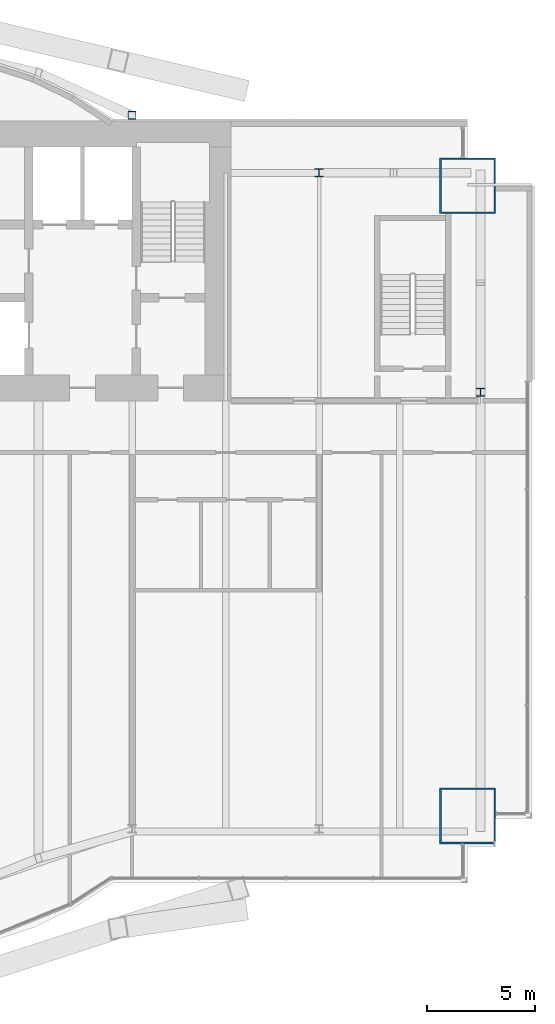
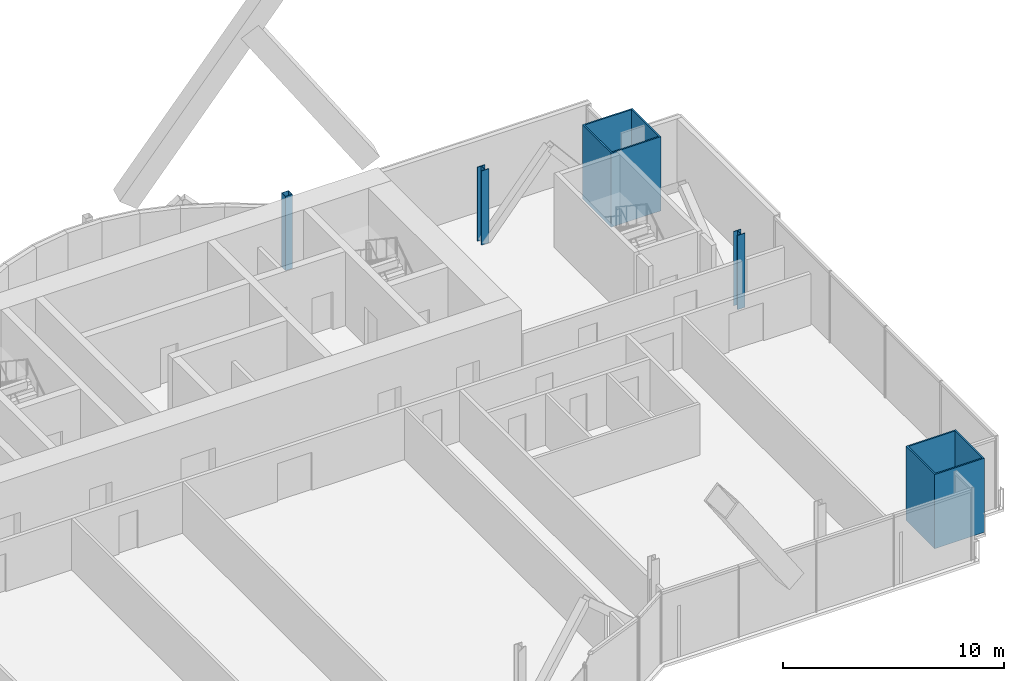
# One storey, part 4 of 23: 5 columns.
"""IFC4 building model written with IfcOpenShell, lengths in metres."""

from ifc_helpers import new_model, si_unit, direction, frame, origin, origin_2d, place, context, subcontext, project, spatial, hollow_rectangle, i_section, extrude, material, material_profile, profile_set, type_object, element, save


model = new_model("IFC4")

# Units and contexts
model_context = context("Model", 3, precision=1e-05, world=origin(), true_north=direction((0.0, 1.0)))
body_context = subcontext(model_context, "Body", "Model", "MODEL_VIEW")
ifc_project = project(units=[si_unit("LENGTHUNIT", "METRE"), si_unit("AREAUNIT", "SQUARE_METRE"), si_unit("VOLUMEUNIT", "CUBIC_METRE"), si_unit("PLANEANGLEUNIT", "RADIAN"), si_unit("MASSUNIT", "GRAM", prefix="KILO")], contexts=[model_context])

# Site, building, storey
site_placement = place(None, origin())
site = spatial("IfcSite", under=ifc_project, at=site_placement, CompositionType="ELEMENT")
building_placement = place(site_placement, origin())
building = spatial("IfcBuilding", under=site, at=building_placement, Name="Bicima Exchange Tower", CompositionType="ELEMENT")
storey_placement = place(building_placement, frame((0.0, 0.0, 152.699951171875)))
storey = spatial("IfcBuildingStorey", under=building, at=storey_placement, Name="L33", CompositionType="ELEMENT", Elevation=152.699951171875)

# Columns
ifc_material_1 = material(Name="Steel ASTM A572 Gr 50", Category="steel")
ifc_material_profile_1 = material_profile(ifc_material_1, hollow_rectangle(XDim=2.60009765625, YDim=2.60009765625, WallThickness=0.080078125, at=origin_2d()))
ifc_profile_set_1 = profile_set([ifc_material_profile_1], Name="Steel ASTM A572 Gr 50")
column_type_1 = type_object("IfcColumnType", Name="Mega column BOX 2600x2600x80", PredefinedType="COLUMN", material=ifc_profile_set_1)
for number, where, z_axis, x_axis, name in (
    (1, (33.0, -32.2900390625, 0.0), (0.0, 0.0, 1.0), (1.0, 0.0, 0.0), "Mega column mega+33.0f"),
    (2, (33.0, -3.0, 0.0), (0.0, 0.0, 1.0), (1.0, 0.0, 0.0), "Mega column mega+33.0r"),
):
    element("IfcColumn", number, at=place(storey_placement, frame(where, z_axis=z_axis, x_axis=x_axis)), inside=storey, type_object=column_type_1, Name=name, PredefinedType="COLUMN", context=body_context, shape_type="SweptSolid", body=[
        extrude(hollow_rectangle(XDim=2.60009765625, YDim=2.60009765625, WallThickness=0.080078125, at=origin_2d()), origin(), (0.0, 0.0, 1.0), 4.10009765625),
    ])
ifc_material_2 = material(Name="Steel ASTM A992 Gr 50", Category="steel")
ifc_material_profile_2 = material_profile(ifc_material_2, i_section(OverallWidth=0.396240234375, OverallDepth=0.381103515625, WebThickness=0.01904296875, FlangeThickness=0.0302734375, at=origin_2d()))
ifc_profile_set_2 = profile_set([ifc_material_profile_2], Name="Steel ASTM A992 Gr 50")
column_type_2 = type_object("IfcColumnType", Name="Perimeter column W14x159", PredefinedType="COLUMN", material=ifc_profile_set_2)
for number, where, z_axis, x_axis, name in (
    (3, (26.10009765625, -2.39990234375, 0.0), (0.0, 0.0, 1.0), (1.0, 0.0, 0.0), "Perimeter column grav+26.1r"),
    (4, (33.60009765625, -12.60009765625, 0.0), (0.0, 0.0, 1.0), (1.0, 0.0, 0.0), "End column end+33.6e"),
):
    element("IfcColumn", number, at=place(storey_placement, frame(where, z_axis=z_axis, x_axis=x_axis)), inside=storey, type_object=column_type_2, Name=name, PredefinedType="COLUMN", context=body_context, shape_type="SweptSolid", body=[
        extrude(i_section(OverallWidth=0.396240234375, OverallDepth=0.381103515625, WebThickness=0.01904296875, FlangeThickness=0.0302734375, at=origin_2d()), origin(), (0.0, 0.0, 1.0), 4.10009765625),
    ])
ifc_material_profile_3 = material_profile(ifc_material_1, hollow_rectangle(XDim=0.355712890625, YDim=0.355712890625, WallThickness=0.01171875, at=origin_2d()))
ifc_profile_set_3 = profile_set([ifc_material_profile_3], Name="Steel ASTM A572 Gr 50")
column_type_3 = type_object("IfcColumnType", Name="Rear pilaster HSS14x14x1/2", PredefinedType="COLUMN", material=ifc_profile_set_3)
column_placement = place(storey_placement, frame((17.39990234375, 0.278076171875, 0.0), z_axis=(0.0, 0.0, 1.0), x_axis=(1.0, 0.0, 0.0)))
element("IfcColumn", 5, at=column_placement, inside=storey, type_object=column_type_3, Name="Rear pilaster rexo+17.4r", PredefinedType="COLUMN", context=body_context, shape_type="SweptSolid", body=[
    extrude(hollow_rectangle(XDim=0.355712890625, YDim=0.355712890625, WallThickness=0.01171875, at=origin_2d()), origin(), (0.0, 0.0, 1.0), 4.10009765625),
])

save(model, "model.ifc")
